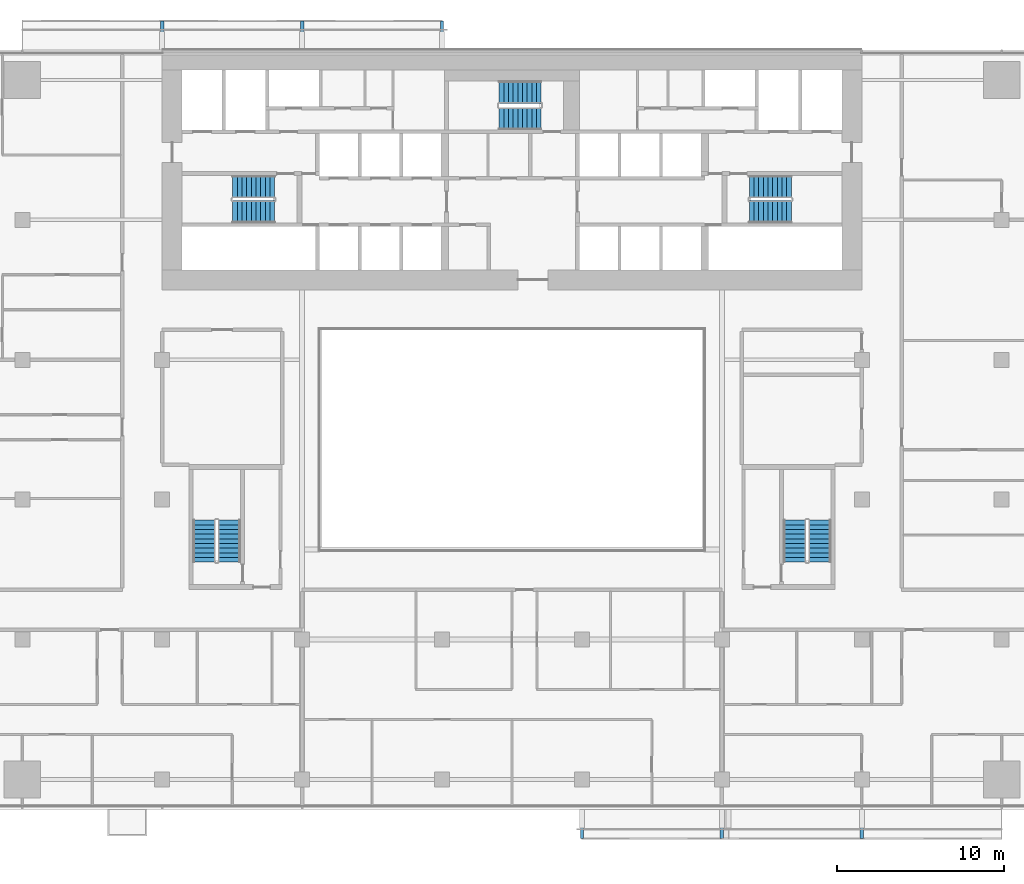
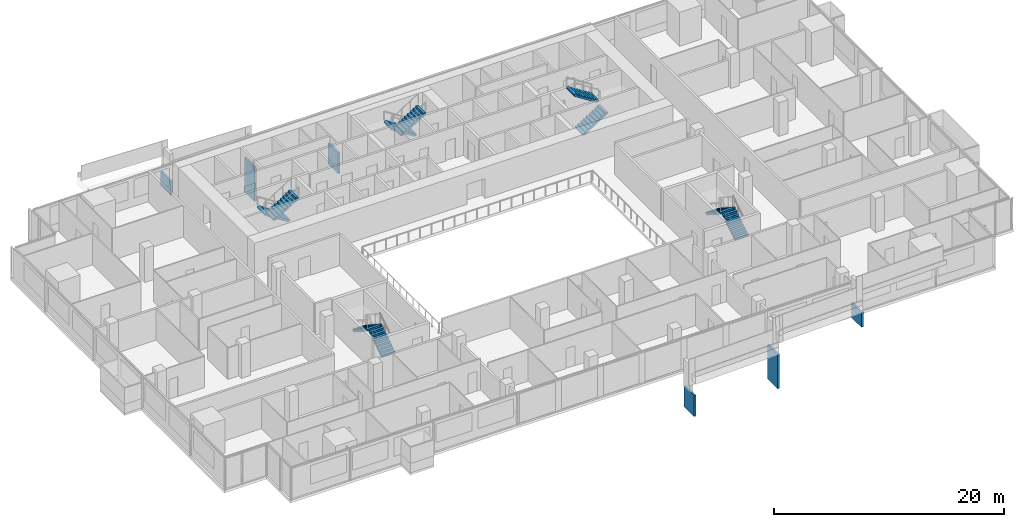
# One storey, part 24 of 27: 10 stair flights, 6 discrete accessories, 5 elements without a shape of their own.
"""IFC4 building model written with IfcOpenShell, lengths in metres."""

from ifc_helpers import new_model, si_unit, direction, frame, origin, origin_2d, place, context, subcontext, project, spatial, polyline, rectangle, outline, extrude, material, type_object, element, aggregate, save


model = new_model("IFC4")

# Units and contexts
model_context = context("Model", 3, precision=1e-05, world=origin(), true_north=direction((0.0, 1.0)))
body_context = subcontext(model_context, "Body", "Model", "MODEL_VIEW")
ifc_project = project(units=[si_unit("LENGTHUNIT", "METRE"), si_unit("AREAUNIT", "SQUARE_METRE"), si_unit("VOLUMEUNIT", "CUBIC_METRE"), si_unit("PLANEANGLEUNIT", "RADIAN"), si_unit("MASSUNIT", "GRAM", prefix="KILO")], contexts=[model_context])

# Site, building, storey
site_placement = place(None, origin())
site = spatial("IfcSite", under=ifc_project, at=site_placement, CompositionType="ELEMENT")
building_placement = place(site_placement, origin())
building = spatial("IfcBuilding", under=site, at=building_placement, Name="Saffron Gate Tower", CompositionType="ELEMENT")
storey_placement = place(building_placement, frame((0.0, 0.0, 66.0)))
storey = spatial("IfcBuildingStorey", under=building, at=storey_placement, Name="L15", CompositionType="ELEMENT", Elevation=66.0)

# Stair, stair flights
ifc_material = material(Name="Concrete C40", Category="concrete")
stair_type = type_object("IfcStairType", Name="ST7 Stair 1350 wide, 20 risers of 180", PredefinedType="HALF_TURN_STAIR", material=ifc_material)
stair_1_placement = place(storey_placement, origin())
stair_1 = element("IfcStair", 1, at=stair_1_placement, inside=storey, type_object=stair_type, Name="L15 Exit stair A", PredefinedType="HALF_TURN_STAIR")
stair_flight_type = type_object("IfcStairFlightType", Name="SF3 Stair flight 1350 wide, riser 180 going 280", PredefinedType="STRAIGHT", material=ifc_material)
stair_flight_1_placement = place(storey_placement, frame((73.35009765625, 67.375, 0.0), z_axis=(0.0, 0.0, 1.0), x_axis=(-1.0, 0.0, 0.0)))
stair_flight_1 = element("IfcStairFlight", 2, at=stair_flight_1_placement, type_object=stair_flight_type, Name="ST-A flight 1", NumberOfRisers=10, NumberOfTreads=9, PredefinedType="STRAIGHT", RiserHeight=0.18, TreadLength=0.28, context=body_context, shape_type="SweptSolid", body=[
    extrude(outline(polyline([(0.0, 0.0), (0.0, 0.179931640625), (0.280029296875, 0.179931640625), (0.280029296875, 0.360107421875), (0.56005859375, 0.360107421875), (0.56005859375, 0.5400390625), (0.840087890625, 0.5400390625), (0.840087890625, 0.719970703125), (1.1201171875, 0.719970703125), (1.1201171875, 0.89990234375), (1.39990234375, 0.89990234375), (1.39990234375, 1.080078125), (1.679931640625, 1.080078125), (1.679931640625, 1.260009765625), (1.9599609375, 1.260009765625), (1.9599609375, 1.43994140625), (2.239990234375, 1.43994140625), (2.239990234375, 1.6201171875), (2.52001953125, 1.6201171875), (2.52001953125, 1.800048828125), (2.52001953125, 1.44189453125), (0.277099609375, 0.0), (0.0, 0.0)])), frame((0.0, 0.675048828125, 0.0), z_axis=(0.0, -1.0, 0.0), x_axis=(1.0, 0.0, 0.0)), (0.0, 0.0, 1.0), 1.35009765625),
])
stair_flight_2_placement = place(storey_placement, frame((70.830078125, 65.875, 1.800048828125), z_axis=(0.0, 0.0, 1.0), x_axis=(1.0, 0.0, 0.0)))
stair_flight_2 = element("IfcStairFlight", 3, at=stair_flight_2_placement, type_object=stair_flight_type, Name="ST-A flight 2", NumberOfRisers=10, NumberOfTreads=9, PredefinedType="STRAIGHT", RiserHeight=0.18, TreadLength=0.28, context=body_context, shape_type="SweptSolid", body=[
    extrude(outline(polyline([(0.0, 0.0), (0.0, 0.179931640625), (0.280029296875, 0.179931640625), (0.280029296875, 0.360107421875), (0.56005859375, 0.360107421875), (0.56005859375, 0.5400390625), (0.840087890625, 0.5400390625), (0.840087890625, 0.719970703125), (1.1201171875, 0.719970703125), (1.1201171875, 0.89990234375), (1.39990234375, 0.89990234375), (1.39990234375, 1.080078125), (1.679931640625, 1.080078125), (1.679931640625, 1.260009765625), (1.9599609375, 1.260009765625), (1.9599609375, 1.43994140625), (2.239990234375, 1.43994140625), (2.239990234375, 1.6201171875), (2.52001953125, 1.6201171875), (2.52001953125, 1.800048828125), (2.52001953125, 1.44189453125), (0.277099609375, 0.0), (0.0, 0.0)])), frame((0.0, 0.675048828125, 0.0), z_axis=(0.0, -1.0, 0.0), x_axis=(1.0, 0.0, 0.0)), (0.0, 0.0, 1.0), 1.35009765625),
])
aggregate(stair_1, [stair_flight_1, stair_flight_2])

stair_2_placement = place(storey_placement, origin())
stair_2 = element("IfcStair", 4, at=stair_2_placement, inside=storey, type_object=stair_type, Name="L15 Exit stair B", PredefinedType="HALF_TURN_STAIR")
stair_flight_3_placement = place(storey_placement, frame((101.85009765625, 65.875, 0.0), z_axis=(0.0, 0.0, 1.0), x_axis=(1.0, 0.0, 0.0)))
stair_flight_3 = element("IfcStairFlight", 5, at=stair_flight_3_placement, type_object=stair_flight_type, Name="ST-B flight 1", NumberOfRisers=10, NumberOfTreads=9, PredefinedType="STRAIGHT", RiserHeight=0.18, TreadLength=0.28, context=body_context, shape_type="SweptSolid", body=[
    extrude(outline(polyline([(0.0, 0.0), (0.0, 0.179931640625), (0.280029296875, 0.179931640625), (0.280029296875, 0.360107421875), (0.56005859375, 0.360107421875), (0.56005859375, 0.5400390625), (0.840087890625, 0.5400390625), (0.840087890625, 0.719970703125), (1.1201171875, 0.719970703125), (1.1201171875, 0.89990234375), (1.39990234375, 0.89990234375), (1.39990234375, 1.080078125), (1.679931640625, 1.080078125), (1.679931640625, 1.260009765625), (1.9599609375, 1.260009765625), (1.9599609375, 1.43994140625), (2.239990234375, 1.43994140625), (2.239990234375, 1.6201171875), (2.52001953125, 1.6201171875), (2.52001953125, 1.800048828125), (2.52001953125, 1.44189453125), (0.277099609375, 0.0), (0.0, 0.0)])), frame((0.0, 0.675048828125, 0.0), z_axis=(0.0, -1.0, 0.0), x_axis=(1.0, 0.0, 0.0)), (0.0, 0.0, 1.0), 1.35009765625),
])
stair_flight_4_placement = place(storey_placement, frame((104.3701171875, 67.375, 1.800048828125), z_axis=(0.0, 0.0, 1.0), x_axis=(-1.0, 0.0, 0.0)))
stair_flight_4 = element("IfcStairFlight", 6, at=stair_flight_4_placement, type_object=stair_flight_type, Name="ST-B flight 2", NumberOfRisers=10, NumberOfTreads=9, PredefinedType="STRAIGHT", RiserHeight=0.18, TreadLength=0.28, context=body_context, shape_type="SweptSolid", body=[
    extrude(outline(polyline([(0.0, 0.0), (0.0, 0.179931640625), (0.280029296875, 0.179931640625), (0.280029296875, 0.360107421875), (0.56005859375, 0.360107421875), (0.56005859375, 0.5400390625), (0.840087890625, 0.5400390625), (0.840087890625, 0.719970703125), (1.1201171875, 0.719970703125), (1.1201171875, 0.89990234375), (1.39990234375, 0.89990234375), (1.39990234375, 1.080078125), (1.679931640625, 1.080078125), (1.679931640625, 1.260009765625), (1.9599609375, 1.260009765625), (1.9599609375, 1.43994140625), (2.239990234375, 1.43994140625), (2.239990234375, 1.6201171875), (2.52001953125, 1.6201171875), (2.52001953125, 1.800048828125), (2.52001953125, 1.44189453125), (0.277099609375, 0.0), (0.0, 0.0)])), frame((0.0, 0.675048828125, 0.0), z_axis=(0.0, -1.0, 0.0), x_axis=(1.0, 0.0, 0.0)), (0.0, 0.0, 1.0), 1.35009765625),
])
aggregate(stair_2, [stair_flight_3, stair_flight_4])

stair_3_placement = place(storey_placement, origin())
stair_3 = element("IfcStair", 7, at=stair_3_placement, inside=storey, type_object=stair_type, Name="L15 Exit stair C", PredefinedType="HALF_TURN_STAIR")
stair_flight_5_placement = place(storey_placement, frame((89.35009765625, 73.074951171875, 0.0), z_axis=(0.0, 0.0, 1.0), x_axis=(-1.0, 0.0, 0.0)))
stair_flight_5 = element("IfcStairFlight", 8, at=stair_flight_5_placement, type_object=stair_flight_type, Name="ST-C flight 1", NumberOfRisers=10, NumberOfTreads=9, PredefinedType="STRAIGHT", RiserHeight=0.18, TreadLength=0.28, context=body_context, shape_type="SweptSolid", body=[
    extrude(outline(polyline([(0.0, 0.0), (0.0, 0.179931640625), (0.280029296875, 0.179931640625), (0.280029296875, 0.360107421875), (0.56005859375, 0.360107421875), (0.56005859375, 0.5400390625), (0.840087890625, 0.5400390625), (0.840087890625, 0.719970703125), (1.1201171875, 0.719970703125), (1.1201171875, 0.89990234375), (1.39990234375, 0.89990234375), (1.39990234375, 1.080078125), (1.679931640625, 1.080078125), (1.679931640625, 1.260009765625), (1.9599609375, 1.260009765625), (1.9599609375, 1.43994140625), (2.239990234375, 1.43994140625), (2.239990234375, 1.6201171875), (2.52001953125, 1.6201171875), (2.52001953125, 1.800048828125), (2.52001953125, 1.44189453125), (0.277099609375, 0.0), (0.0, 0.0)])), frame((0.0, 0.675048828125, 0.0), z_axis=(0.0, -1.0, 0.0), x_axis=(1.0, 0.0, 0.0)), (0.0, 0.0, 1.0), 1.35009765625),
])
stair_flight_6_placement = place(storey_placement, frame((86.830078125, 71.47509765625, 1.800048828125), z_axis=(0.0, 0.0, 1.0), x_axis=(1.0, 0.0, 0.0)))
stair_flight_6 = element("IfcStairFlight", 9, at=stair_flight_6_placement, type_object=stair_flight_type, Name="ST-C flight 2", NumberOfRisers=10, NumberOfTreads=9, PredefinedType="STRAIGHT", RiserHeight=0.18, TreadLength=0.28, context=body_context, shape_type="SweptSolid", body=[
    extrude(outline(polyline([(0.0, 0.0), (0.0, 0.179931640625), (0.280029296875, 0.179931640625), (0.280029296875, 0.360107421875), (0.56005859375, 0.360107421875), (0.56005859375, 0.5400390625), (0.840087890625, 0.5400390625), (0.840087890625, 0.719970703125), (1.1201171875, 0.719970703125), (1.1201171875, 0.89990234375), (1.39990234375, 0.89990234375), (1.39990234375, 1.080078125), (1.679931640625, 1.080078125), (1.679931640625, 1.260009765625), (1.9599609375, 1.260009765625), (1.9599609375, 1.43994140625), (2.239990234375, 1.43994140625), (2.239990234375, 1.6201171875), (2.52001953125, 1.6201171875), (2.52001953125, 1.800048828125), (2.52001953125, 1.44189453125), (0.277099609375, 0.0), (0.0, 0.0)])), frame((0.0, 0.675048828125, 0.0), z_axis=(0.0, -1.0, 0.0), x_axis=(1.0, 0.0, 0.0)), (0.0, 0.0, 1.0), 1.35009765625),
])
aggregate(stair_3, [stair_flight_5, stair_flight_6])

stair_4_placement = place(storey_placement, origin())
stair_4 = element("IfcStair", 10, at=stair_4_placement, inside=storey, type_object=stair_type, Name="L15 Exit stair D", PredefinedType="HALF_TURN_STAIR")
stair_flight_7_placement = place(storey_placement, frame((70.625, 44.85009765625, 0.0), z_axis=(0.0, 0.0, 1.0), x_axis=(0.0, 1.0, 0.0)))
stair_flight_7 = element("IfcStairFlight", 11, at=stair_flight_7_placement, type_object=stair_flight_type, Name="ST-D flight 1", NumberOfRisers=10, NumberOfTreads=9, PredefinedType="STRAIGHT", RiserHeight=0.18, TreadLength=0.28, context=body_context, shape_type="SweptSolid", body=[
    extrude(outline(polyline([(0.0, 0.0), (0.0, 0.179931640625), (0.280029296875, 0.179931640625), (0.280029296875, 0.360107421875), (0.56005859375, 0.360107421875), (0.56005859375, 0.5400390625), (0.840087890625, 0.5400390625), (0.840087890625, 0.719970703125), (1.1201171875, 0.719970703125), (1.1201171875, 0.89990234375), (1.39990234375, 0.89990234375), (1.39990234375, 1.080078125), (1.679931640625, 1.080078125), (1.679931640625, 1.260009765625), (1.9599609375, 1.260009765625), (1.9599609375, 1.43994140625), (2.239990234375, 1.43994140625), (2.239990234375, 1.6201171875), (2.52001953125, 1.6201171875), (2.52001953125, 1.800048828125), (2.52001953125, 1.44189453125), (0.277099609375, 0.0), (0.0, 0.0)])), frame((0.0, 0.675048828125, 0.0), z_axis=(0.0, -1.0, 0.0), x_axis=(1.0, 0.0, 0.0)), (0.0, 0.0, 1.0), 1.35009765625),
])
stair_flight_8_placement = place(storey_placement, frame((69.125, 47.3701171875, 1.800048828125), z_axis=(0.0, 0.0, 1.0), x_axis=(0.0, -1.0, 0.0)))
stair_flight_8 = element("IfcStairFlight", 12, at=stair_flight_8_placement, type_object=stair_flight_type, Name="ST-D flight 2", NumberOfRisers=10, NumberOfTreads=9, PredefinedType="STRAIGHT", RiserHeight=0.18, TreadLength=0.28, context=body_context, shape_type="SweptSolid", body=[
    extrude(outline(polyline([(0.0, 0.0), (0.0, 0.179931640625), (0.280029296875, 0.179931640625), (0.280029296875, 0.360107421875), (0.56005859375, 0.360107421875), (0.56005859375, 0.5400390625), (0.840087890625, 0.5400390625), (0.840087890625, 0.719970703125), (1.1201171875, 0.719970703125), (1.1201171875, 0.89990234375), (1.39990234375, 0.89990234375), (1.39990234375, 1.080078125), (1.679931640625, 1.080078125), (1.679931640625, 1.260009765625), (1.9599609375, 1.260009765625), (1.9599609375, 1.43994140625), (2.239990234375, 1.43994140625), (2.239990234375, 1.6201171875), (2.52001953125, 1.6201171875), (2.52001953125, 1.800048828125), (2.52001953125, 1.44189453125), (0.277099609375, 0.0), (0.0, 0.0)])), frame((0.0, 0.675048828125, 0.0), z_axis=(0.0, -1.0, 0.0), x_axis=(1.0, 0.0, 0.0)), (0.0, 0.0, 1.0), 1.35009765625),
])
aggregate(stair_4, [stair_flight_7, stair_flight_8])

stair_5_placement = place(storey_placement, origin())
stair_5 = element("IfcStair", 13, at=stair_5_placement, inside=storey, type_object=stair_type, Name="L15 Exit stair E", PredefinedType="HALF_TURN_STAIR")
stair_flight_9_placement = place(storey_placement, frame((106.074951171875, 44.85009765625, 0.0), z_axis=(0.0, 0.0, 1.0), x_axis=(0.0, 1.0, 0.0)))
stair_flight_9 = element("IfcStairFlight", 14, at=stair_flight_9_placement, type_object=stair_flight_type, Name="ST-E flight 1", NumberOfRisers=10, NumberOfTreads=9, PredefinedType="STRAIGHT", RiserHeight=0.18, TreadLength=0.28, context=body_context, shape_type="SweptSolid", body=[
    extrude(outline(polyline([(0.0, 0.0), (0.0, 0.179931640625), (0.280029296875, 0.179931640625), (0.280029296875, 0.360107421875), (0.56005859375, 0.360107421875), (0.56005859375, 0.5400390625), (0.840087890625, 0.5400390625), (0.840087890625, 0.719970703125), (1.1201171875, 0.719970703125), (1.1201171875, 0.89990234375), (1.39990234375, 0.89990234375), (1.39990234375, 1.080078125), (1.679931640625, 1.080078125), (1.679931640625, 1.260009765625), (1.9599609375, 1.260009765625), (1.9599609375, 1.43994140625), (2.239990234375, 1.43994140625), (2.239990234375, 1.6201171875), (2.52001953125, 1.6201171875), (2.52001953125, 1.800048828125), (2.52001953125, 1.44189453125), (0.277099609375, 0.0), (0.0, 0.0)])), frame((0.0, 0.675048828125, 0.0), z_axis=(0.0, -1.0, 0.0), x_axis=(1.0, 0.0, 0.0)), (0.0, 0.0, 1.0), 1.35009765625),
])
stair_flight_10_placement = place(storey_placement, frame((104.574951171875, 47.3701171875, 1.800048828125), z_axis=(0.0, 0.0, 1.0), x_axis=(0.0, -1.0, 0.0)))
stair_flight_10 = element("IfcStairFlight", 15, at=stair_flight_10_placement, type_object=stair_flight_type, Name="ST-E flight 2", NumberOfRisers=10, NumberOfTreads=9, PredefinedType="STRAIGHT", RiserHeight=0.18, TreadLength=0.28, context=body_context, shape_type="SweptSolid", body=[
    extrude(outline(polyline([(0.0, 0.0), (0.0, 0.179931640625), (0.280029296875, 0.179931640625), (0.280029296875, 0.360107421875), (0.56005859375, 0.360107421875), (0.56005859375, 0.5400390625), (0.840087890625, 0.5400390625), (0.840087890625, 0.719970703125), (1.1201171875, 0.719970703125), (1.1201171875, 0.89990234375), (1.39990234375, 0.89990234375), (1.39990234375, 1.080078125), (1.679931640625, 1.080078125), (1.679931640625, 1.260009765625), (1.9599609375, 1.260009765625), (1.9599609375, 1.43994140625), (2.239990234375, 1.43994140625), (2.239990234375, 1.6201171875), (2.52001953125, 1.6201171875), (2.52001953125, 1.800048828125), (2.52001953125, 1.44189453125), (0.277099609375, 0.0), (0.0, 0.0)])), frame((0.0, 0.675048828125, 0.0), z_axis=(0.0, -1.0, 0.0), x_axis=(1.0, 0.0, 0.0)), (0.0, 0.0, 1.0), 1.35009765625),
])
aggregate(stair_5, [stair_flight_9, stair_flight_10])

# Discrete accessories
discrete_accessory_1_placement = place(storey_placement, frame((83.39990234375, 76.47509765625, -3.8798828125), z_axis=(0.0, 0.0, 1.0), x_axis=(-1.0, 0.0, 0.0)))
element("IfcDiscreteAccessory", 16, at=discrete_accessory_1_placement, inside=storey, Name="LEDGE rib", PredefinedType="BRACKET", context=body_context, shape_type="SweptSolid", body=[
    extrude(rectangle(XDim=0.199951171875, YDim=1.75, at=origin_2d()), origin(), (0.0, 0.0, 1.0), 2.208251953125),
])
discrete_accessory_2_placement = place(storey_placement, frame((75.0, 76.47509765625, -3.8798828125), z_axis=(0.0, 0.0, 1.0), x_axis=(-1.0, 0.0, 0.0)))
element("IfcDiscreteAccessory", 17, at=discrete_accessory_2_placement, inside=storey, Name="LEDGE rib", PredefinedType="BRACKET", context=body_context, shape_type="SweptSolid", body=[
    extrude(rectangle(XDim=0.199951171875, YDim=1.75, at=origin_2d()), origin(), (0.0, 0.0, 1.0), 3.650634765625),
])
discrete_accessory_3_placement = place(storey_placement, frame((66.60009765625, 76.47509765625, -0.27978515625), z_axis=(0.0, 0.0, 1.0), x_axis=(-1.0, 0.0, 0.0)))
element("IfcDiscreteAccessory", 18, at=discrete_accessory_3_placement, inside=storey, Name="LEDGE rib", PredefinedType="BRACKET", context=body_context, shape_type="SweptSolid", body=[
    extrude(rectangle(XDim=0.199951171875, YDim=1.75, at=origin_2d()), origin(), (0.0, 0.0, 1.0), 1.492919921875),
])
discrete_accessory_4_placement = place(storey_placement, frame((91.800048828125, 29.125, -3.8798828125), z_axis=(0.0, 0.0, 1.0), x_axis=(1.0, 0.0, 0.0)))
element("IfcDiscreteAccessory", 19, at=discrete_accessory_4_placement, inside=storey, Name="LEDGE rib", PredefinedType="BRACKET", context=body_context, shape_type="SweptSolid", body=[
    extrude(rectangle(XDim=0.199951171875, YDim=1.75, at=origin_2d()), origin(), (0.0, 0.0, 1.0), 2.208251953125),
])
discrete_accessory_5_placement = place(storey_placement, frame((100.199951171875, 29.125, -3.8798828125), z_axis=(0.0, 0.0, 1.0), x_axis=(1.0, 0.0, 0.0)))
element("IfcDiscreteAccessory", 20, at=discrete_accessory_5_placement, inside=storey, Name="LEDGE rib", PredefinedType="BRACKET", context=body_context, shape_type="SweptSolid", body=[
    extrude(rectangle(XDim=0.199951171875, YDim=1.75, at=origin_2d()), origin(), (0.0, 0.0, 1.0), 3.650634765625),
])
discrete_accessory_6_placement = place(storey_placement, frame((108.60009765625, 29.125, -0.27978515625), z_axis=(0.0, 0.0, 1.0), x_axis=(1.0, 0.0, 0.0)))
element("IfcDiscreteAccessory", 21, at=discrete_accessory_6_placement, inside=storey, Name="LEDGE rib", PredefinedType="BRACKET", context=body_context, shape_type="SweptSolid", body=[
    extrude(rectangle(XDim=0.199951171875, YDim=1.75, at=origin_2d()), origin(), (0.0, 0.0, 1.0), 1.550048828125),
])

save(model, "model.ifc")
